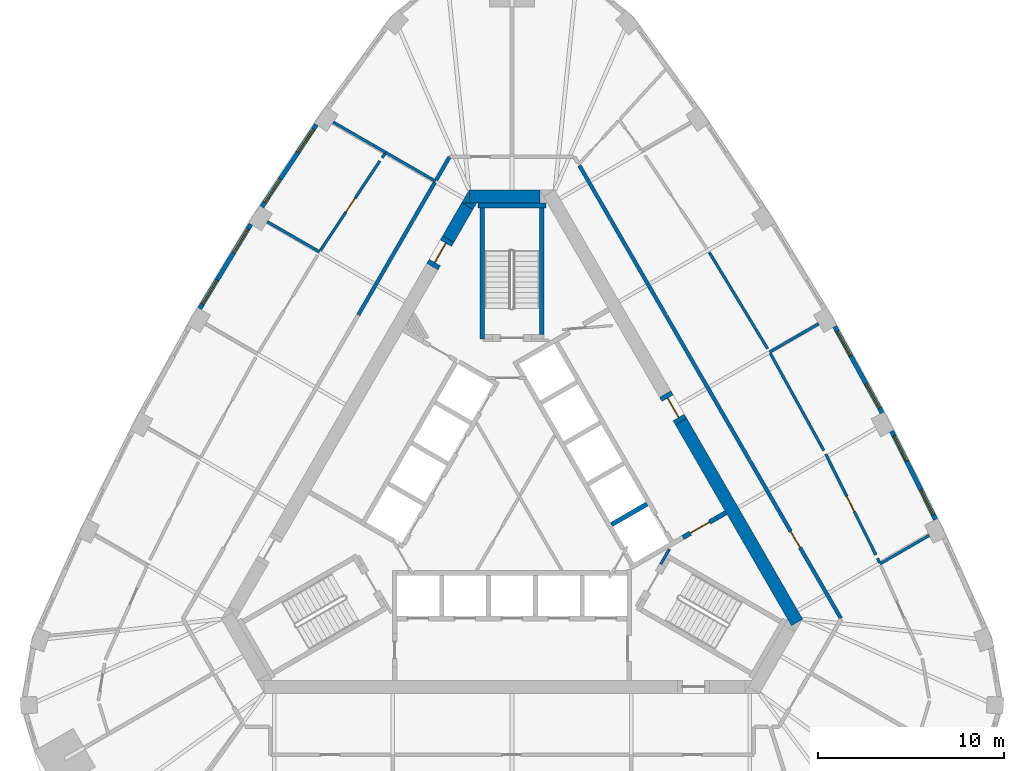
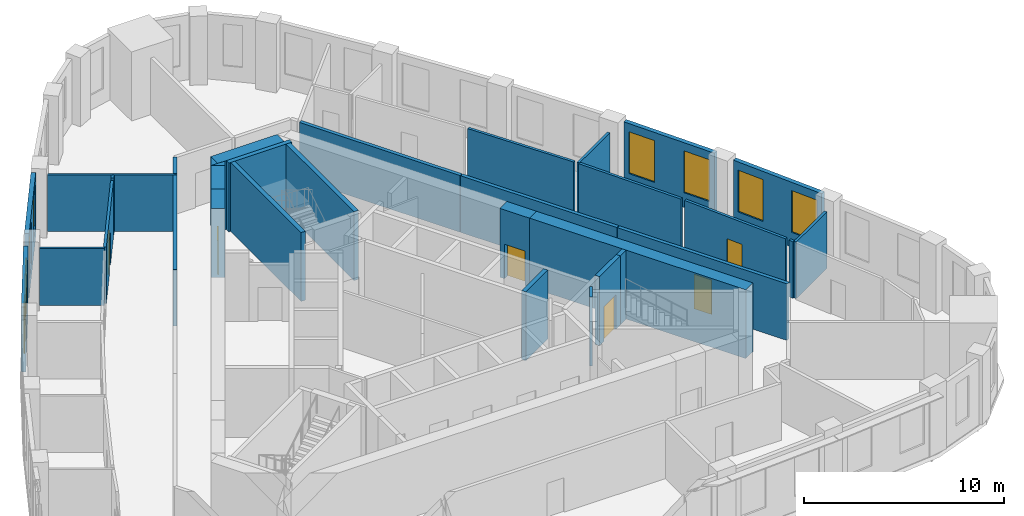
# One storey, part 7 of 11: 34 walls, 8 windows, 6 doors, 14 openings.
"""IFC4 building model written with IfcOpenShell, lengths in metres."""

from ifc_helpers import new_model, si_unit, direction, frame, frame_2d, origin, place, context, subcontext, project, spatial, polyline, rectangle, outline, extrude, material, layer, layer_set, type_object, element, fill, save


model = new_model("IFC4")

# Units and contexts
model_context = context("Model", 3, precision=1e-05, world=origin(), true_north=direction((0.0, 1.0)))
body_context = subcontext(model_context, "Body", "Model", "MODEL_VIEW")
ifc_project = project(units=[si_unit("LENGTHUNIT", "METRE"), si_unit("AREAUNIT", "SQUARE_METRE"), si_unit("VOLUMEUNIT", "CUBIC_METRE"), si_unit("PLANEANGLEUNIT", "RADIAN"), si_unit("MASSUNIT", "GRAM", prefix="KILO")], contexts=[model_context])

# Site, building, storey
site_placement = place(None, origin())
site = spatial("IfcSite", under=ifc_project, at=site_placement, CompositionType="ELEMENT")
building_placement = place(site_placement, origin())
building = spatial("IfcBuilding", under=site, at=building_placement, Name="Mestral Congress Tower", CompositionType="ELEMENT")
storey_placement = place(building_placement, frame((0.0, 0.0, 201.60009765625)))
storey = spatial("IfcBuildingStorey", under=building, at=storey_placement, Name="L47", CompositionType="ELEMENT", Elevation=201.60009765625)

# Walls
ifc_material_1 = material(Name="Concrete C60/75", Category="concrete")
ifc_layer_1 = layer(ifc_material_1, 0.699951171875)
ifc_layer_set_1 = layer_set([ifc_layer_1], Name="Concrete C60/75")
wall_type_1 = type_object("IfcWallType", Name="Core wall RC 700", PredefinedType="SOLIDWALL", material=ifc_layer_set_1)
wall_1_placement = place(storey_placement, frame((9.085205078125, 4.263916015625, 0.0), z_axis=(0.0, 0.0, 1.0), x_axis=(0.499998082512, -0.866026510844, 0.0)))
element("IfcWall", 1, at=wall_1_placement, inside=storey, type_object=wall_type_1, Name="L47 core wall", PredefinedType="SOLIDWALL", context=body_context, shape_type="SweptSolid", body=[
    extrude(rectangle(XDim=12.47216796875, YDim=0.699951171875, at=frame_2d((6.236083984375, 0.0))), origin(), (0.0, 0.0, 1.0), 4.199951171875),
])
wall_2_placement = place(storey_placement, frame((-2.323486328125, 16.35009765625, 0.0), z_axis=(0.0, 0.0, 1.0), x_axis=(1.0, 0.0, 0.0)))
element("IfcWall", 2, at=wall_2_placement, inside=storey, type_object=wall_type_1, Name="L47 core wall", PredefinedType="SOLIDWALL", context=body_context, shape_type="SweptSolid", body=[
    extrude(rectangle(XDim=3.828857421875, YDim=0.699951171875, at=frame_2d((1.91455078125, 0.0))), origin(), (0.0, 0.0, 1.0), 4.199951171875),
])
placement = place(storey_placement, origin())
element("IfcWall", 3, at=placement, inside=storey, type_object=wall_type_1, Name="L47 core wall", PredefinedType="SOLIDWALL", context=body_context, shape_type="SweptSolid", body=[
    extrude(outline(polyline([(-2.71337890625, 16.0), (-2.325439453125, 16.672119140625), (-2.325439453125, 16.0), (-2.71337890625, 16.0)])), origin(), (0.0, 0.0, 1.0), 4.199951171875),
])
wall_4_placement = place(storey_placement, frame((-2.4033203125, 15.837158203125, 0.0), z_axis=(0.0, 0.0, 1.0), x_axis=(-0.500049196018, -0.865996998587, 0.0)))
element("IfcWall", 4, at=wall_4_placement, inside=storey, type_object=wall_type_1, Name="L47 core wall", PredefinedType="SOLIDWALL", context=body_context, shape_type="SweptSolid", body=[
    extrude(rectangle(XDim=2.048095703125, YDim=0.699951171875, at=frame_2d((1.02392578125, 0.0))), origin(), (0.0, 0.0, 1.0), 4.199951171875),
])
element("IfcWall", 5, at=placement, inside=storey, type_object=wall_type_1, Name="L47 core wall", PredefinedType="SOLIDWALL", context=body_context, shape_type="SweptSolid", body=[
    extrude(outline(polyline([(-1.9052734375, 16.0), (-2.099365234375, 15.6640625), (-2.681396484375, 16.0), (-1.9052734375, 16.0)])), origin(), (0.0, 0.0, 1.0), 4.199951171875),
])

# Wall, opening, door
wall_6_placement = place(storey_placement, frame((-4.277587890625, 12.591064453125, 0.0), z_axis=(0.0, 0.0, 1.0), x_axis=(0.500062241894, 0.865989465428, 0.0)))
wall_6 = element("IfcWall", 6, at=wall_6_placement, inside=storey, type_object=wall_type_1, Name="L47 door wall", PredefinedType="SOLIDWALL", context=body_context, shape_type="SweptSolid", body=[
    extrude(rectangle(XDim=1.699951171875, YDim=0.699951171875, at=frame_2d((0.85009765625, 0.0))), origin(), (0.0, 0.0, 1.0), 4.199951171875),
])
opening_1_placement = place(wall_6_placement, frame((0.25, 0.0, 0.0)))
opening_1 = element("IfcOpeningElement", 7, at=opening_1_placement, cuts=wall_6, Name="Opening XD2", PredefinedType="OPENING", context=body_context, shape_type="SweptSolid", body=[
    extrude(rectangle(XDim=1.199951171875, YDim=2.10009765625, at=frame_2d((0.60009765625, 1.050048828125))), frame((0.0, 0.35986328125, 0.0), z_axis=(0.0, -1.0, 0.0), x_axis=(1.0, 0.0, 0.0)), (0.0, 0.0, 1.0), 0.719970703125),
])
ifc_material_2 = material(Name="Fire-rated steel door set", Category="steel")
door_type_1 = type_object("IfcDoorType", Name="Core door XD 1200x2100", OperationType="SINGLE_SWING_LEFT", PredefinedType="DOOR", material=ifc_material_2)
door_1_placement = place(opening_1_placement, origin())
door_1 = element("IfcDoor", 8, at=door_1_placement, inside=storey, type_object=door_type_1, Name="Door XD2", OperationType="SINGLE_SWING_LEFT", OverallHeight=2.10009765625, OverallWidth=1.199951171875, PredefinedType="DOOR", context=body_context, shape_type="SweptSolid", body=[
    extrude(rectangle(XDim=1.199951171875, YDim=2.10009765625, at=frame_2d((0.60009765625, 1.050048828125))), frame((0.0, 0.02490234375, 0.0), z_axis=(0.0, -1.0, 0.0), x_axis=(1.0, 0.0, 0.0)), (0.0, 0.0, 1.0), 0.050048828125),
])
fill(opening_1, door_1)

wall_7_placement = place(storey_placement, frame((8.2353515625, 5.736083984375, 0.0), z_axis=(0.0, 0.0, 1.0), x_axis=(0.499954529098, -0.86605165483, 0.0)))
wall_7 = element("IfcWall", 9, at=wall_7_placement, inside=storey, type_object=wall_type_1, Name="L47 door wall", PredefinedType="SOLIDWALL", context=body_context, shape_type="SweptSolid", body=[
    extrude(rectangle(XDim=1.699951171875, YDim=0.699951171875, at=frame_2d((0.85009765625, 0.0))), origin(), (0.0, 0.0, 1.0), 4.199951171875),
])
opening_2_placement = place(wall_7_placement, frame((0.25, 0.0, 0.0)))
opening_2 = element("IfcOpeningElement", 10, at=opening_2_placement, cuts=wall_7, Name="Opening XDL", PredefinedType="OPENING", context=body_context, shape_type="SweptSolid", body=[
    extrude(rectangle(XDim=1.199951171875, YDim=2.10009765625, at=frame_2d((0.60009765625, 1.050048828125))), frame((0.0, 0.35986328125, 0.0), z_axis=(0.0, -1.0, 0.0), x_axis=(1.0, 0.0, 0.0)), (0.0, 0.0, 1.0), 0.719970703125),
])
door_2_placement = place(opening_2_placement, origin())
door_2 = element("IfcDoor", 11, at=door_2_placement, inside=storey, type_object=door_type_1, Name="Door XDL", OperationType="SINGLE_SWING_LEFT", OverallHeight=2.10009765625, OverallWidth=1.199951171875, PredefinedType="DOOR", context=body_context, shape_type="SweptSolid", body=[
    extrude(rectangle(XDim=1.199951171875, YDim=2.10009765625, at=frame_2d((0.60009765625, 1.050048828125))), frame((0.0, 0.02490234375, 0.0), z_axis=(0.0, -1.0, 0.0), x_axis=(1.0, 0.0, 0.0)), (0.0, 0.0, 1.0), 0.050048828125),
])
fill(opening_2, door_2)

# Wall, openings, windows
ifc_material_3 = material(Name="Precast concrete C40/50 with limestone facing", Category="masonry")
ifc_layer_2 = layer(ifc_material_3, 0.239990234375)
ifc_layer_set_2 = layer_set([ifc_layer_2], Name="Precast concrete C40/50 with limestone facing")
wall_type_2 = type_object("IfcWallType", Name="Facade stone wall 240", PredefinedType="SOLIDWALL", material=ifc_layer_set_2)
wall_8_placement = place(storey_placement, frame((22.765869140625, -1.0048828125, 0.0), z_axis=(0.0, 0.0, 1.0), x_axis=(-0.445129582031, 0.895466166419, 0.0)))
wall_8 = element("IfcWall", 12, at=wall_8_placement, inside=storey, type_object=wall_type_2, Name="Facade wall F1-01", PredefinedType="SOLIDWALL", context=body_context, shape_type="SweptSolid", body=[
    extrude(rectangle(XDim=5.29833984375, YDim=0.239990234375, at=frame_2d((2.649169921875, 0.0))), origin(), (0.0, 0.0, 1.0), 3.949951171875),
])
opening_3_placement = place(wall_8_placement, frame((0.294677734375, 0.0, 0.89990234375)))
opening_3 = element("IfcOpeningElement", 13, at=opening_3_placement, cuts=wall_8, Name="Opening W4", PredefinedType="OPENING", context=body_context, shape_type="SweptSolid", body=[
    extrude(rectangle(XDim=1.5, YDim=2.550048828125, at=frame_2d((0.75, 1.27490234375))), frame((0.0, 0.1298828125, 0.0), z_axis=(0.0, -1.0, 0.0), x_axis=(1.0, 0.0, 0.0)), (0.0, 0.0, 1.0), 0.260009765625),
])
opening_4_placement = place(wall_8_placement, frame((3.503662109375, 0.0, 0.89990234375)))
opening_4 = element("IfcOpeningElement", 14, at=opening_4_placement, cuts=wall_8, Name="Opening W4", PredefinedType="OPENING", context=body_context, shape_type="SweptSolid", body=[
    extrude(rectangle(XDim=1.5, YDim=2.550048828125, at=frame_2d((0.75, 1.27490234375))), frame((0.0, 0.1298828125, 0.0), z_axis=(0.0, -1.0, 0.0), x_axis=(1.0, 0.0, 0.0)), (0.0, 0.0, 1.0), 0.260009765625),
])
ifc_material_4 = material(Name="Clear low-emissivity double glazing", Category="glass")
window_type = type_object("IfcWindowType", Name="Facade punched window 1500 x 2550 sill 900", PartitioningType="SINGLE_PANEL", PredefinedType="WINDOW", material=ifc_material_4)
window_1_placement = place(opening_3_placement, origin())
window_1 = element("IfcWindow", 15, at=window_1_placement, inside=storey, type_object=window_type, Name="Window F1-01a", OverallHeight=2.550048828125, OverallWidth=1.5, PartitioningType="SINGLE_PANEL", PredefinedType="WINDOW", context=body_context, shape_type="SweptSolid", body=[
    extrude(rectangle(XDim=1.5, YDim=2.550048828125, at=frame_2d((0.75, 1.27490234375))), frame((0.0, 0.0400390625, 0.0), z_axis=(0.0, -1.0, 0.0), x_axis=(1.0, 0.0, 0.0)), (0.0, 0.0, 1.0), 0.06005859375),
])
fill(opening_3, window_1)
window_2_placement = place(opening_4_placement, origin())
window_2 = element("IfcWindow", 16, at=window_2_placement, inside=storey, type_object=window_type, Name="Window F1-01b", OverallHeight=2.550048828125, OverallWidth=1.5, PartitioningType="SINGLE_PANEL", PredefinedType="WINDOW", context=body_context, shape_type="SweptSolid", body=[
    extrude(rectangle(XDim=1.5, YDim=2.550048828125, at=frame_2d((0.75, 1.27490234375))), frame((0.0, 0.0400390625, 0.0), z_axis=(0.0, -1.0, 0.0), x_axis=(1.0, 0.0, 0.0)), (0.0, 0.0, 1.0), 0.06005859375),
])
fill(opening_4, window_2)

wall_9_placement = place(storey_placement, frame((19.8916015625, 4.725341796875, 0.0), z_axis=(0.0, 0.0, 1.0), x_axis=(-0.481925825015, 0.876212017256, 0.0)))
wall_9 = element("IfcWall", 17, at=wall_9_placement, inside=storey, type_object=wall_type_2, Name="Facade wall F1-02", PredefinedType="SOLIDWALL", context=body_context, shape_type="SweptSolid", body=[
    extrude(rectangle(XDim=5.298583984375, YDim=0.239990234375, at=frame_2d((2.6494140625, 0.0))), origin(), (0.0, 0.0, 1.0), 3.949951171875),
])
opening_5_placement = place(wall_9_placement, frame((0.294677734375, 0.0, 0.89990234375)))
opening_5 = element("IfcOpeningElement", 18, at=opening_5_placement, cuts=wall_9, Name="Opening W4", PredefinedType="OPENING", context=body_context, shape_type="SweptSolid", body=[
    extrude(rectangle(XDim=1.5, YDim=2.550048828125, at=frame_2d((0.75, 1.27490234375))), frame((0.0, 0.1298828125, 0.0), z_axis=(0.0, -1.0, 0.0), x_axis=(1.0, 0.0, 0.0)), (0.0, 0.0, 1.0), 0.260009765625),
])
opening_6_placement = place(wall_9_placement, frame((3.503662109375, 0.0, 0.89990234375)))
opening_6 = element("IfcOpeningElement", 19, at=opening_6_placement, cuts=wall_9, Name="Opening W4", PredefinedType="OPENING", context=body_context, shape_type="SweptSolid", body=[
    extrude(rectangle(XDim=1.5, YDim=2.550048828125, at=frame_2d((0.75, 1.27490234375))), frame((0.0, 0.1298828125, 0.0), z_axis=(0.0, -1.0, 0.0), x_axis=(1.0, 0.0, 0.0)), (0.0, 0.0, 1.0), 0.260009765625),
])
window_3_placement = place(opening_5_placement, origin())
window_3 = element("IfcWindow", 20, at=window_3_placement, inside=storey, type_object=window_type, Name="Window F1-02a", OverallHeight=2.550048828125, OverallWidth=1.5, PartitioningType="SINGLE_PANEL", PredefinedType="WINDOW", context=body_context, shape_type="SweptSolid", body=[
    extrude(rectangle(XDim=1.5, YDim=2.550048828125, at=frame_2d((0.75, 1.27490234375))), frame((0.0, 0.0400390625, 0.0), z_axis=(0.0, -1.0, 0.0), x_axis=(1.0, 0.0, 0.0)), (0.0, 0.0, 1.0), 0.06005859375),
])
fill(opening_5, window_3)
window_4_placement = place(opening_6_placement, origin())
window_4 = element("IfcWindow", 21, at=window_4_placement, inside=storey, type_object=window_type, Name="Window F1-02b", OverallHeight=2.550048828125, OverallWidth=1.5, PartitioningType="SINGLE_PANEL", PredefinedType="WINDOW", context=body_context, shape_type="SweptSolid", body=[
    extrude(rectangle(XDim=1.5, YDim=2.550048828125, at=frame_2d((0.75, 1.27490234375))), frame((0.0, 0.0400390625, 0.0), z_axis=(0.0, -1.0, 0.0), x_axis=(1.0, 0.0, 0.0)), (0.0, 0.0, 1.0), 0.06005859375),
])
fill(opening_6, window_4)

wall_10_placement = place(storey_placement, frame((-10.5126953125, 20.21826171875, 0.0), z_axis=(0.0, 0.0, 1.0), x_axis=(-0.552901821755, -0.833246407433, 0.0)))
wall_10 = element("IfcWall", 22, at=wall_10_placement, inside=storey, type_object=wall_type_2, Name="Facade wall F2-01", PredefinedType="SOLIDWALL", context=body_context, shape_type="SweptSolid", body=[
    extrude(rectangle(XDim=5.29833984375, YDim=0.239990234375, at=frame_2d((2.649169921875, 0.0))), origin(), (0.0, 0.0, 1.0), 3.949951171875),
])
opening_7_placement = place(wall_10_placement, frame((0.29443359375, 0.0, 0.89990234375)))
opening_7 = element("IfcOpeningElement", 23, at=opening_7_placement, cuts=wall_10, Name="Opening W4", PredefinedType="OPENING", context=body_context, shape_type="SweptSolid", body=[
    extrude(rectangle(XDim=1.5, YDim=2.550048828125, at=frame_2d((0.75, 1.27490234375))), frame((0.0, 0.1298828125, 0.0), z_axis=(0.0, -1.0, 0.0), x_axis=(1.0, 0.0, 0.0)), (0.0, 0.0, 1.0), 0.260009765625),
])
opening_8_placement = place(wall_10_placement, frame((3.503662109375, 0.0, 0.89990234375)))
opening_8 = element("IfcOpeningElement", 24, at=opening_8_placement, cuts=wall_10, Name="Opening W4", PredefinedType="OPENING", context=body_context, shape_type="SweptSolid", body=[
    extrude(rectangle(XDim=1.5, YDim=2.550048828125, at=frame_2d((0.75, 1.27490234375))), frame((0.0, 0.1298828125, 0.0), z_axis=(0.0, -1.0, 0.0), x_axis=(1.0, 0.0, 0.0)), (0.0, 0.0, 1.0), 0.260009765625),
])
window_5_placement = place(opening_7_placement, origin())
window_5 = element("IfcWindow", 25, at=window_5_placement, inside=storey, type_object=window_type, Name="Window F2-01a", OverallHeight=2.550048828125, OverallWidth=1.5, PartitioningType="SINGLE_PANEL", PredefinedType="WINDOW", context=body_context, shape_type="SweptSolid", body=[
    extrude(rectangle(XDim=1.5, YDim=2.550048828125, at=frame_2d((0.75, 1.27490234375))), frame((0.0, 0.0400390625, 0.0), z_axis=(0.0, -1.0, 0.0), x_axis=(1.0, 0.0, 0.0)), (0.0, 0.0, 1.0), 0.06005859375),
])
fill(opening_7, window_5)
window_6_placement = place(opening_8_placement, origin())
window_6 = element("IfcWindow", 26, at=window_6_placement, inside=storey, type_object=window_type, Name="Window F2-01b", OverallHeight=2.550048828125, OverallWidth=1.5, PartitioningType="SINGLE_PANEL", PredefinedType="WINDOW", context=body_context, shape_type="SweptSolid", body=[
    extrude(rectangle(XDim=1.5, YDim=2.550048828125, at=frame_2d((0.75, 1.27490234375))), frame((0.0, 0.0400390625, 0.0), z_axis=(0.0, -1.0, 0.0), x_axis=(1.0, 0.0, 0.0)), (0.0, 0.0, 1.0), 0.06005859375),
])
fill(opening_8, window_6)

wall_11_placement = place(storey_placement, frame((-14.0380859375, 14.86376953125, 0.0), z_axis=(0.0, 0.0, 1.0), x_axis=(-0.517846166225, -0.855473756538, 0.0)))
wall_11 = element("IfcWall", 27, at=wall_11_placement, inside=storey, type_object=wall_type_2, Name="Facade wall F2-02", PredefinedType="SOLIDWALL", context=body_context, shape_type="SweptSolid", body=[
    extrude(rectangle(XDim=5.298095703125, YDim=0.239990234375, at=frame_2d((2.64892578125, 0.0))), origin(), (0.0, 0.0, 1.0), 3.949951171875),
])
opening_9_placement = place(wall_11_placement, frame((0.29443359375, 0.0, 0.89990234375)))
opening_9 = element("IfcOpeningElement", 28, at=opening_9_placement, cuts=wall_11, Name="Opening W4", PredefinedType="OPENING", context=body_context, shape_type="SweptSolid", body=[
    extrude(rectangle(XDim=1.5, YDim=2.550048828125, at=frame_2d((0.75, 1.27490234375))), frame((0.0, 0.1298828125, 0.0), z_axis=(0.0, -1.0, 0.0), x_axis=(1.0, 0.0, 0.0)), (0.0, 0.0, 1.0), 0.260009765625),
])
opening_10_placement = place(wall_11_placement, frame((3.503662109375, 0.0, 0.89990234375)))
opening_10 = element("IfcOpeningElement", 29, at=opening_10_placement, cuts=wall_11, Name="Opening W4", PredefinedType="OPENING", context=body_context, shape_type="SweptSolid", body=[
    extrude(rectangle(XDim=1.5, YDim=2.550048828125, at=frame_2d((0.75, 1.27490234375))), frame((0.0, 0.1298828125, 0.0), z_axis=(0.0, -1.0, 0.0), x_axis=(1.0, 0.0, 0.0)), (0.0, 0.0, 1.0), 0.260009765625),
])
window_7_placement = place(opening_9_placement, origin())
window_7 = element("IfcWindow", 30, at=window_7_placement, inside=storey, type_object=window_type, Name="Window F2-02a", OverallHeight=2.550048828125, OverallWidth=1.5, PartitioningType="SINGLE_PANEL", PredefinedType="WINDOW", context=body_context, shape_type="SweptSolid", body=[
    extrude(rectangle(XDim=1.5, YDim=2.550048828125, at=frame_2d((0.75, 1.27490234375))), frame((0.0, 0.0400390625, 0.0), z_axis=(0.0, -1.0, 0.0), x_axis=(1.0, 0.0, 0.0)), (0.0, 0.0, 1.0), 0.06005859375),
])
fill(opening_9, window_7)
window_8_placement = place(opening_10_placement, origin())
window_8 = element("IfcWindow", 31, at=window_8_placement, inside=storey, type_object=window_type, Name="Window F2-02b", OverallHeight=2.550048828125, OverallWidth=1.5, PartitioningType="SINGLE_PANEL", PredefinedType="WINDOW", context=body_context, shape_type="SweptSolid", body=[
    extrude(rectangle(XDim=1.5, YDim=2.550048828125, at=frame_2d((0.75, 1.27490234375))), frame((0.0, 0.0400390625, 0.0), z_axis=(0.0, -1.0, 0.0), x_axis=(1.0, 0.0, 0.0)), (0.0, 0.0, 1.0), 0.06005859375),
])
fill(opening_10, window_8)

# Walls
ifc_material_5 = material(Name="Plasterboard partition on steel studs", Category="steel")
ifc_layer_3 = layer(ifc_material_5, 0.14990234375)
ifc_layer_set_3 = layer_set([ifc_layer_3], Name="Plasterboard partition on steel studs")
wall_type_3 = type_object("IfcWallType", Name="Office partition 150", PredefinedType="PARTITIONING", material=ifc_layer_set_3)
wall_12_placement = place(storey_placement, frame((19.7802734375, -3.385986328125, 0.0), z_axis=(0.0, 0.0, 1.0), x_axis=(0.866063280451, 0.49993438995, 0.0)))
element("IfcWall", 32, at=wall_12_placement, inside=storey, type_object=wall_type_3, Name="Partition", PredefinedType="PARTITIONING", context=body_context, shape_type="SweptSolid", body=[
    extrude(rectangle(XDim=3.05810546875, YDim=0.14990234375, at=frame_2d((1.529052734375, 0.0))), origin(), (0.0, 0.0, 1.0), 3.449951171875),
])
wall_13_placement = place(storey_placement, frame((13.84765625, 7.9951171875, 0.0), z_axis=(0.0, 0.0, 1.0), x_axis=(0.86603583403, 0.49998193385, 0.0)))
element("IfcWall", 33, at=wall_13_placement, inside=storey, type_object=wall_type_3, Name="Partition", PredefinedType="PARTITIONING", context=body_context, shape_type="SweptSolid", body=[
    extrude(rectangle(XDim=3.04052734375, YDim=0.14990234375, at=frame_2d((1.520263671875, 0.0))), origin(), (0.0, 0.0, 1.0), 3.449951171875),
])
wall_14_placement = place(storey_placement, frame((19.74951171875, -3.3173828125, 0.0), z_axis=(0.0, 0.0, 1.0), x_axis=(-0.406774979688, 0.913528388119, 0.0)))
element("IfcWall", 34, at=wall_14_placement, inside=storey, type_object=wall_type_3, Name="Partition", PredefinedType="PARTITIONING", context=body_context, shape_type="SweptSolid", body=[
    extrude(rectangle(XDim=0.2490234375, YDim=0.14990234375, at=frame_2d((0.12451171875, 0.0))), origin(), (0.0, 0.0, 1.0), 3.449951171875),
])

# Wall, opening, door
wall_15_placement = place(storey_placement, frame((16.86279296875, 2.5126953125, 0.0), z_axis=(0.0, 0.0, 1.0), x_axis=(0.445159947046, -0.895451071553, 0.0)))
wall_15 = element("IfcWall", 35, at=wall_15_placement, inside=storey, type_object=wall_type_3, Name="Partition", PredefinedType="PARTITIONING", context=body_context, shape_type="SweptSolid", body=[
    extrude(rectangle(XDim=6.042724609375, YDim=0.14990234375, at=frame_2d((3.021484375, 0.0))), origin(), (0.0, 0.0, 1.0), 3.449951171875),
])
opening_11_placement = place(wall_15_placement, frame((2.54248046875, 0.0, 0.0)))
opening_11 = element("IfcOpeningElement", 36, at=opening_11_placement, cuts=wall_15, Name="Opening O06-006", PredefinedType="OPENING", context=body_context, shape_type="SweptSolid", body=[
    extrude(rectangle(XDim=0.89990234375, YDim=2.10009765625, at=frame_2d((0.449951171875, 1.050048828125))), frame((0.0, 0.0849609375, 0.0), z_axis=(0.0, -1.0, 0.0), x_axis=(1.0, 0.0, 0.0)), (0.0, 0.0, 1.0), 0.169921875),
])
ifc_material_6 = material(Name="Timber door set", Category="wood")
door_type_2 = type_object("IfcDoorType", Name="Office door 900x2100", OperationType="SINGLE_SWING_LEFT", PredefinedType="DOOR", material=ifc_material_6)
door_3_placement = place(opening_11_placement, origin())
door_3 = element("IfcDoor", 37, at=door_3_placement, inside=storey, type_object=door_type_2, Name="Door O06-006", OperationType="SINGLE_SWING_LEFT", OverallHeight=2.10009765625, OverallWidth=0.89990234375, PredefinedType="DOOR", context=body_context, shape_type="SweptSolid", body=[
    extrude(rectangle(XDim=0.89990234375, YDim=2.10009765625, at=frame_2d((0.449951171875, 1.050048828125))), frame((0.0, 0.02490234375, 0.0), z_axis=(0.0, -1.0, 0.0), x_axis=(1.0, 0.0, 0.0)), (0.0, 0.0, 1.0), 0.050048828125),
])
fill(opening_11, door_3)

# Walls
wall_16_placement = place(storey_placement, frame((16.759521484375, 2.700439453125, 0.0), z_axis=(0.0, 0.0, 1.0), x_axis=(-0.481907755985, 0.876221955169, 0.0)))
element("IfcWall", 38, at=wall_16_placement, inside=storey, type_object=wall_type_3, Name="Partition", PredefinedType="PARTITIONING", context=body_context, shape_type="SweptSolid", body=[
    extrude(rectangle(XDim=5.96728515625, YDim=0.14990234375, at=frame_2d((2.983642578125, 0.0))), origin(), (0.0, 0.0, 1.0), 3.449951171875),
])
wall_17_placement = place(storey_placement, frame((13.73681640625, 8.17822265625, 0.0), z_axis=(0.0, 0.0, 1.0), x_axis=(-0.517884383874, 0.855450620983, 0.0)))
element("IfcWall", 39, at=wall_17_placement, inside=storey, type_object=wall_type_3, Name="Partition", PredefinedType="PARTITIONING", context=body_context, shape_type="SweptSolid", body=[
    extrude(rectangle(XDim=6.042724609375, YDim=0.14990234375, at=frame_2d((3.021484375, 0.0))), origin(), (0.0, 0.0, 1.0), 3.449951171875),
])
wall_18_placement = place(storey_placement, frame((-6.780029296875, 18.720703125, 0.0), z_axis=(0.0, 0.0, 1.0), x_axis=(-0.866019875663, 0.500009574865, 0.0)))
element("IfcWall", 40, at=wall_18_placement, inside=storey, type_object=wall_type_3, Name="Partition", PredefinedType="PARTITIONING", context=body_context, shape_type="SweptSolid", body=[
    extrude(rectangle(XDim=3.26318359375, YDim=0.14990234375, at=frame_2d((1.631591796875, 0.0))), origin(), (0.0, 0.0, 1.0), 3.449951171875),
])
wall_19_placement = place(storey_placement, frame((-4.11083984375, 17.1796875, 0.0), z_axis=(0.0, 0.0, 1.0), x_axis=(-0.866022449854, 0.500005116322, 0.0)))
element("IfcWall", 41, at=wall_19_placement, inside=storey, type_object=wall_type_3, Name="Partition", PredefinedType="PARTITIONING", context=body_context, shape_type="SweptSolid", body=[
    extrude(rectangle(XDim=3.09033203125, YDim=0.14990234375, at=frame_2d((1.545166015625, 0.0))), origin(), (0.0, 0.0, 1.0), 3.449951171875),
])
wall_20_placement = place(storey_placement, frame((-10.344482421875, 13.3818359375, 0.0), z_axis=(0.0, 0.0, 1.0), x_axis=(-0.865990253757, 0.500060876692, 0.0)))
element("IfcWall", 42, at=wall_20_placement, inside=storey, type_object=wall_type_3, Name="Partition", PredefinedType="PARTITIONING", context=body_context, shape_type="SweptSolid", body=[
    extrude(rectangle(XDim=3.2470703125, YDim=0.14990234375, at=frame_2d((1.62353515625, 0.0))), origin(), (0.0, 0.0, 1.0), 3.449951171875),
])
wall_21_placement = place(storey_placement, frame((-6.827880859375, 18.66162109375, 0.0), z_axis=(0.0, 0.0, 1.0), x_axis=(-0.586967571461, -0.809610443394, 0.0)))
element("IfcWall", 43, at=wall_21_placement, inside=storey, type_object=wall_type_3, Name="Partition", PredefinedType="PARTITIONING", context=body_context, shape_type="SweptSolid", body=[
    extrude(rectangle(XDim=0.265380859375, YDim=0.14990234375, at=frame_2d((0.1328125, 0.0))), origin(), (0.0, 0.0, 1.0), 3.449951171875),
])

# Wall, opening, door
wall_22_placement = place(storey_placement, frame((-10.302978515625, 13.444580078125, 0.0), z_axis=(0.0, 0.0, 1.0), x_axis=(0.552908115949, 0.833242230878, 0.0)))
wall_22 = element("IfcWall", 44, at=wall_22_placement, inside=storey, type_object=wall_type_3, Name="Partition", PredefinedType="PARTITIONING", context=body_context, shape_type="SweptSolid", body=[
    extrude(rectangle(XDim=5.788818359375, YDim=0.14990234375, at=frame_2d((2.89453125, 0.0))), origin(), (0.0, 0.0, 1.0), 3.449951171875),
])
opening_12_placement = place(wall_22_placement, frame((2.489013671875, 0.0, 0.0)))
opening_12 = element("IfcOpeningElement", 45, at=opening_12_placement, cuts=wall_22, Name="Opening O06-012", PredefinedType="OPENING", context=body_context, shape_type="SweptSolid", body=[
    extrude(rectangle(XDim=0.89990234375, YDim=2.10009765625, at=frame_2d((0.449951171875, 1.050048828125))), frame((0.0, 0.0849609375, 0.0), z_axis=(0.0, -1.0, 0.0), x_axis=(1.0, 0.0, 0.0)), (0.0, 0.0, 1.0), 0.169921875),
])
door_4_placement = place(opening_12_placement, origin())
door_4 = element("IfcDoor", 46, at=door_4_placement, inside=storey, type_object=door_type_2, Name="Door O06-012", OperationType="SINGLE_SWING_RIGHT", OverallHeight=2.10009765625, OverallWidth=0.89990234375, PredefinedType="DOOR", context=body_context, shape_type="SweptSolid", body=[
    extrude(rectangle(XDim=0.89990234375, YDim=2.10009765625, at=frame_2d((0.449951171875, 1.050048828125))), frame((0.0, 0.02490234375, 0.0), z_axis=(0.0, -1.0, 0.0), x_axis=(1.0, 0.0, 0.0)), (0.0, 0.0, 1.0), 0.050048828125),
])
fill(opening_12, door_4)

# Walls
ifc_material_7 = material(Name="Dense masonry wall, plastered", Category="masonry")
ifc_layer_4 = layer(ifc_material_7, 0.199951171875)
ifc_layer_set_4 = layer_set([ifc_layer_4], Name="Dense masonry wall, plastered")
wall_type_4 = type_object("IfcWallType", Name="Office tenancy wall 200", PredefinedType="PARTITIONING", material=ifc_layer_set_4)
wall_23_placement = place(storey_placement, frame((12.772216796875, 2.177978515625, 0.0), z_axis=(0.0, 0.0, 1.0), x_axis=(-0.5000018851, 0.866024315419, 0.0)))
element("IfcWall", 47, at=wall_23_placement, inside=storey, type_object=wall_type_4, Name="Tenancy wall", PredefinedType="PARTITIONING", context=body_context, shape_type="SweptSolid", body=[
    extrude(rectangle(XDim=9.0, YDim=0.199951171875, at=frame_2d((4.5, 0.0))), origin(), (0.0, 0.0, 1.0), 3.449951171875),
])
wall_24_placement = place(storey_placement, frame((8.257080078125, 9.998046875, 0.0), z_axis=(0.0, 0.0, 1.0), x_axis=(-0.499998405424, 0.866026324412, 0.0)))
element("IfcWall", 48, at=wall_24_placement, inside=storey, type_object=wall_type_4, Name="Tenancy wall", PredefinedType="PARTITIONING", context=body_context, shape_type="SweptSolid", body=[
    extrude(rectangle(XDim=9.2666015625, YDim=0.199951171875, at=frame_2d((4.63330078125, 0.0))), origin(), (0.0, 0.0, 1.0), 3.449951171875),
])

# Wall, opening, door
wall_25_placement = place(storey_placement, frame((17.680908203125, -6.323974609375, 0.0), z_axis=(0.0, 0.0, 1.0), x_axis=(-0.500021153861, 0.866013190252, 0.0)))
wall_25 = element("IfcWall", 49, at=wall_25_placement, inside=storey, type_object=wall_type_4, Name="Tenancy wall", PredefinedType="PARTITIONING", context=body_context, shape_type="SweptSolid", body=[
    extrude(rectangle(XDim=9.787109375, YDim=0.199951171875, at=frame_2d((4.8935546875, 0.0))), origin(), (0.0, 0.0, 1.0), 3.449951171875),
])
opening_13_placement = place(wall_25_placement, frame((4.39990234375, 0.0, 0.0)))
opening_13 = element("IfcOpeningElement", 50, at=opening_13_placement, cuts=wall_25, Name="Opening O06-009", PredefinedType="OPENING", context=body_context, shape_type="SweptSolid", body=[
    extrude(rectangle(XDim=1.0, YDim=2.10009765625, at=frame_2d((0.5, 1.050048828125))), frame((0.0, 0.10986328125, 0.0), z_axis=(0.0, -1.0, 0.0), x_axis=(1.0, 0.0, 0.0)), (0.0, 0.0, 1.0), 0.219970703125),
])
ifc_material_8 = material(Name="Fire-rated timber door set", Category="wood")
door_type_3 = type_object("IfcDoorType", Name="Office tenancy entrance door 1000x2100", OperationType="SINGLE_SWING_LEFT", PredefinedType="DOOR", material=ifc_material_8)
door_5_placement = place(opening_13_placement, origin())
door_5 = element("IfcDoor", 51, at=door_5_placement, inside=storey, type_object=door_type_3, Name="Door O06-009", OperationType="SINGLE_SWING_RIGHT", OverallHeight=2.10009765625, OverallWidth=1.0, PredefinedType="DOOR", context=body_context, shape_type="SweptSolid", body=[
    extrude(rectangle(XDim=1.0, YDim=2.10009765625, at=frame_2d((0.5, 1.050048828125))), frame((0.0, 0.02490234375, 0.0), z_axis=(0.0, -1.0, 0.0), x_axis=(1.0, 0.0, 0.0)), (0.0, 0.0, 1.0), 0.050048828125),
])
fill(opening_13, door_5)

# Walls
wall_26_placement = place(storey_placement, frame((-3.363525390625, 18.47412109375, 0.0), z_axis=(0.0, 0.0, 1.0), x_axis=(-0.500059846627, -0.865990848561, 0.0)))
element("IfcWall", 52, at=wall_26_placement, inside=storey, type_object=wall_type_4, Name="Tenancy wall", PredefinedType="PARTITIONING", context=body_context, shape_type="SweptSolid", body=[
    extrude(rectangle(XDim=1.419677734375, YDim=0.199951171875, at=frame_2d((0.7099609375, 0.0))), origin(), (0.0, 0.0, 1.0), 3.449951171875),
])
wall_27_placement = place(storey_placement, frame((-4.1484375, 17.11474609375, 0.0), z_axis=(0.0, 0.0, 1.0), x_axis=(-0.499983057696, -0.866035185207, 0.0)))
element("IfcWall", 53, at=wall_27_placement, inside=storey, type_object=wall_type_4, Name="Tenancy wall", PredefinedType="PARTITIONING", context=body_context, shape_type="SweptSolid", body=[
    extrude(rectangle(XDim=8.217529296875, YDim=0.199951171875, at=frame_2d((4.10888671875, 0.0))), origin(), (0.0, 0.0, 1.0), 3.449951171875),
])
ifc_layer_5 = layer(ifc_material_1, 0.25)
ifc_layer_set_5 = layer_set([ifc_layer_5], Name="Concrete C60/75")
wall_type_5 = type_object("IfcWallType", Name="Shaft wall RC 250", PredefinedType="SOLIDWALL", material=ifc_layer_set_5)
wall_28_placement = place(storey_placement, frame((11.507080078125, -0.631103515625, 0.0), z_axis=(0.0, 0.0, 1.0), x_axis=(-0.866093731455, -0.499881634324, 0.0)))
element("IfcWall", 54, at=wall_28_placement, inside=storey, type_object=wall_type_5, Name="L47 core wall", PredefinedType="SOLIDWALL", context=body_context, shape_type="SweptSolid", body=[
    extrude(rectangle(XDim=0.575439453125, YDim=0.25, at=frame_2d((0.28759765625, 0.0))), origin(), (0.0, 0.0, 1.0), 4.199951171875),
])
wall_29_placement = place(storey_placement, frame((5.35400390625, -1.273681640625, 0.0), z_axis=(0.0, 0.0, 1.0), x_axis=(0.866008176907, 0.50002983664, 0.0)))
element("IfcWall", 55, at=wall_29_placement, inside=storey, type_object=wall_type_5, Name="L47 core wall", PredefinedType="SOLIDWALL", context=body_context, shape_type="SweptSolid", body=[
    extrude(rectangle(XDim=2.199951171875, YDim=0.25, at=frame_2d((1.10009765625, 0.0))), origin(), (0.0, 0.0, 1.0), 4.199951171875),
])

# Wall, opening, door
wall_30_placement = place(storey_placement, frame((11.0087890625, -0.918701171875, 0.0), z_axis=(0.0, 0.0, 1.0), x_axis=(-0.866059744384, -0.49994051562, 0.0)))
wall_30 = element("IfcWall", 56, at=wall_30_placement, inside=storey, type_object=wall_type_5, Name="L47 door wall", PredefinedType="SOLIDWALL", context=body_context, shape_type="SweptSolid", body=[
    extrude(rectangle(XDim=2.099853515625, YDim=0.25, at=frame_2d((1.0498046875, 0.0))), origin(), (0.0, 0.0, 1.0), 4.199951171875),
])
opening_14_placement = place(wall_30_placement, frame((0.449951171875, 0.0, 0.0)))
opening_14 = element("IfcOpeningElement", 57, at=opening_14_placement, cuts=wall_30, Name="Opening LB1-PX10", PredefinedType="OPENING", context=body_context, shape_type="SweptSolid", body=[
    extrude(rectangle(XDim=1.199951171875, YDim=2.10009765625, at=frame_2d((0.60009765625, 1.050048828125))), frame((0.0, 0.135009765625, 0.0), z_axis=(0.0, -1.0, 0.0), x_axis=(1.0, 0.0, 0.0)), (0.0, 0.0, 1.0), 0.27001953125),
])
door_type_4 = type_object("IfcDoorType", Name="Core door LB 1200x2100", OperationType="SINGLE_SWING_LEFT", PredefinedType="DOOR", material=ifc_material_2)
door_6_placement = place(opening_14_placement, origin())
door_6 = element("IfcDoor", 58, at=door_6_placement, inside=storey, type_object=door_type_4, Name="Door LB1-PX10", OperationType="SINGLE_SWING_LEFT", OverallHeight=2.10009765625, OverallWidth=1.199951171875, PredefinedType="DOOR", context=body_context, shape_type="SweptSolid", body=[
    extrude(rectangle(XDim=1.199951171875, YDim=2.10009765625, at=frame_2d((0.60009765625, 1.050048828125))), frame((0.0, 0.02490234375, 0.0), z_axis=(0.0, -1.0, 0.0), x_axis=(1.0, 0.0, 0.0)), (0.0, 0.0, 1.0), 0.050048828125),
])
fill(opening_14, door_6)

# Walls
ifc_layer_6 = layer(ifc_material_1, 0.14990234375)
ifc_layer_set_6 = layer_set([ifc_layer_6], Name="Concrete C60/75")
wall_type_6 = type_object("IfcWallType", Name="Shaft wall RC 250 door-wall 150", PredefinedType="SOLIDWALL", material=ifc_layer_set_6)
wall_31_placement = place(storey_placement, frame((8.459228515625, -2.59912109375, 0.0), z_axis=(0.0, 0.0, 1.0), x_axis=(-0.500041054325, -0.866001699761, 0.0)))
element("IfcWall", 59, at=wall_31_placement, inside=storey, type_object=wall_type_6, Name="L47 core wall", PredefinedType="PARTITIONING", context=body_context, shape_type="SweptSolid", body=[
    extrude(rectangle(XDim=0.9287109375, YDim=0.14990234375, at=frame_2d((0.46435546875, 0.0))), origin(), (0.0, 0.0, 1.0), 4.199951171875),
])
ifc_layer_7 = layer(ifc_material_1, 0.25)
ifc_layer_set_7 = layer_set([ifc_layer_7], Name="Concrete C60/75")
wall_type_7 = type_object("IfcWallType", Name="Stair wall RC 250", PredefinedType="SOLIDWALL", material=ifc_layer_set_7)
wall_32_placement = place(storey_placement, frame((-1.81689453125, 15.875, 0.0), z_axis=(0.0, 0.0, 1.0), x_axis=(1.0, 0.0, 0.0)))
element("IfcWall", 60, at=wall_32_placement, inside=storey, type_object=wall_type_7, Name="L47 core wall", PredefinedType="SOLIDWALL", context=body_context, shape_type="SweptSolid", body=[
    extrude(rectangle(XDim=3.6337890625, YDim=0.25, at=frame_2d((1.81689453125, 0.0))), origin(), (0.0, 0.0, 1.0), 4.199951171875),
])
wall_33_placement = place(storey_placement, frame((1.60009765625, 8.949951171875, 0.0), z_axis=(0.0, 0.0, 1.0), x_axis=(0.0, 1.0, 0.0)))
element("IfcWall", 61, at=wall_33_placement, inside=storey, type_object=wall_type_7, Name="L47 core wall", PredefinedType="SOLIDWALL", context=body_context, shape_type="SweptSolid", body=[
    extrude(rectangle(XDim=6.800048828125, YDim=0.25, at=frame_2d((3.39990234375, 0.0))), origin(), (0.0, 0.0, 1.0), 4.199951171875),
])
wall_34_placement = place(storey_placement, frame((-1.60009765625, 8.699951171875, 0.0), z_axis=(0.0, 0.0, 1.0), x_axis=(0.0, 1.0, 0.0)))
element("IfcWall", 62, at=wall_34_placement, inside=storey, type_object=wall_type_7, Name="L47 core wall", PredefinedType="SOLIDWALL", context=body_context, shape_type="SweptSolid", body=[
    extrude(rectangle(XDim=7.050048828125, YDim=0.25, at=frame_2d((3.52490234375, 0.0))), origin(), (0.0, 0.0, 1.0), 4.199951171875),
])

save(model, "model.ifc")
